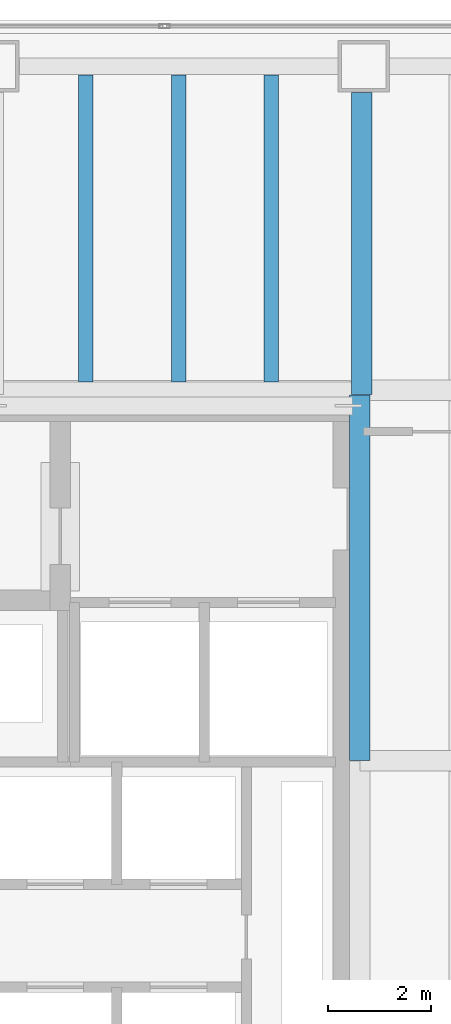
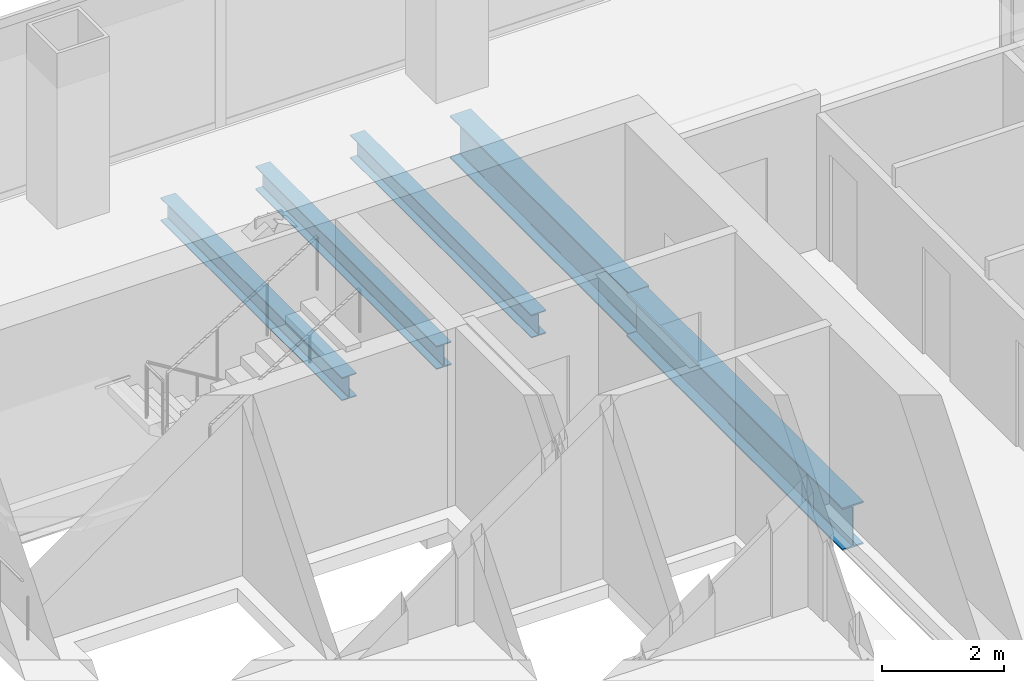
# One storey, part 15 of 23: 5 beams.
"""IFC4 building model written with IfcOpenShell, lengths in metres."""

from ifc_helpers import new_model, si_unit, direction, frame, origin, origin_2d, place, context, subcontext, project, spatial, i_section, extrude, material, material_profile, profile_set, type_object, element, save


model = new_model("IFC4")

# Units and contexts
model_context = context("Model", 3, precision=1e-05, world=origin(), true_north=direction((0.0, 1.0)))
body_context = subcontext(model_context, "Body", "Model", "MODEL_VIEW")
ifc_project = project(units=[si_unit("LENGTHUNIT", "METRE"), si_unit("AREAUNIT", "SQUARE_METRE"), si_unit("VOLUMEUNIT", "CUBIC_METRE"), si_unit("PLANEANGLEUNIT", "RADIAN"), si_unit("MASSUNIT", "GRAM", prefix="KILO")], contexts=[model_context])

# Site, building, storey
site_placement = place(None, origin())
site = spatial("IfcSite", under=ifc_project, at=site_placement, CompositionType="ELEMENT")
building_placement = place(site_placement, origin())
building = spatial("IfcBuilding", under=site, at=building_placement, Name="Cobrela Telecom Tower", CompositionType="ELEMENT")
storey_placement = place(building_placement, frame((0.0, 0.0, 50.39990234375)))
storey = spatial("IfcBuildingStorey", under=building, at=storey_placement, Name="L12", CompositionType="ELEMENT", Elevation=50.39990234375)

# Beams
ifc_material = material(Name="Steel ASTM A992 Grade 50", Category="steel")
ifc_material_profile_1 = material_profile(ifc_material, i_section(OverallWidth=0.39892578125, OverallDepth=0.85595703125, WebThickness=0.018310546875, FlangeThickness=0.029296875, FilletRadius=0.02001953125, at=origin_2d()), Name="W33X201")
ifc_profile_set_1 = profile_set([ifc_material_profile_1], Name="Steel ASTM A992 Grade 50")
beam_type_1 = type_object("IfcBeamType", Name="BM-GIRD-03", PredefinedType="USERDEFINED", material=ifc_profile_set_1)
beam_1_placement = place(storey_placement, frame((14.320068359375, 28.804931640625, -0.7080078125), z_axis=(0.0, 1.0, 0.0), x_axis=(-1.0, 0.0, 0.0)))
element("IfcBeam", 1, at=beam_1_placement, inside=storey, type_object=beam_type_1, Name="L12 Primary Girder Y38", ObjectType="GIRDER", PredefinedType="USERDEFINED", context=body_context, shape_type="SweptSolid", body=[
    extrude(i_section(OverallWidth=0.39892578125, OverallDepth=0.85595703125, WebThickness=0.018310546875, FlangeThickness=0.029296875, FilletRadius=0.02001953125, at=origin_2d()), origin(), (0.0, 0.0, 1.0), 7.110107421875),
])
beam_2_placement = place(storey_placement, frame((14.360107421875, 35.925048828125, -0.7080078125), z_axis=(0.0, 1.0, 0.0), x_axis=(-1.0, 0.0, 0.0)))
element("IfcBeam", 2, at=beam_2_placement, inside=storey, type_object=beam_type_1, Name="L12 Primary Girder Y39", ObjectType="GIRDER", PredefinedType="USERDEFINED", context=body_context, shape_type="SweptSolid", body=[
    extrude(i_section(OverallWidth=0.39892578125, OverallDepth=0.85595703125, WebThickness=0.018310546875, FlangeThickness=0.029296875, FilletRadius=0.02001953125, at=origin_2d()), origin(), (0.0, 0.0, 1.0), 5.869873046875),
])
ifc_material_profile_2 = material_profile(ifc_material, i_section(OverallWidth=0.281982421875, OverallDepth=0.467041015625, WebThickness=0.01220703125, FlangeThickness=0.01953125, FilletRadius=0.012939453125, at=origin_2d()), Name="W18X86")
ifc_profile_set_2 = profile_set([ifc_material_profile_2], Name="Steel ASTM A992 Grade 50")
beam_type_2 = type_object("IfcBeamType", Name="BM-JOIST-02", PredefinedType="JOIST", material=ifc_profile_set_2)
for number, where, z_axis, x_axis, name in (
    (3, (9.0, 36.16455078125, -0.513427734375), (0.0, 1.0, 0.0), (-1.0, 0.0, 0.0), "L12 Secondary Composite Floor Beam J02"),
    (4, (10.800048828125, 36.16455078125, -0.513427734375), (0.0, 1.0, 0.0), (-1.0, 0.0, 0.0), "L12 Secondary Composite Floor Beam J04"),
    (5, (12.60009765625, 36.16455078125, -0.513427734375), (0.0, 1.0, 0.0), (-1.0, 0.0, 0.0), "L12 Secondary Composite Floor Beam J06"),
):
    element("IfcBeam", number, at=place(storey_placement, frame(where, z_axis=z_axis, x_axis=x_axis)), inside=storey, type_object=beam_type_2, Name=name, PredefinedType="JOIST", context=body_context, shape_type="SweptSolid", body=[
        extrude(i_section(OverallWidth=0.281982421875, OverallDepth=0.467041015625, WebThickness=0.01220703125, FlangeThickness=0.01953125, FilletRadius=0.012939453125, at=origin_2d()), origin(), (0.0, 0.0, 1.0), 5.968017578125),
    ])

save(model, "model.ifc")
